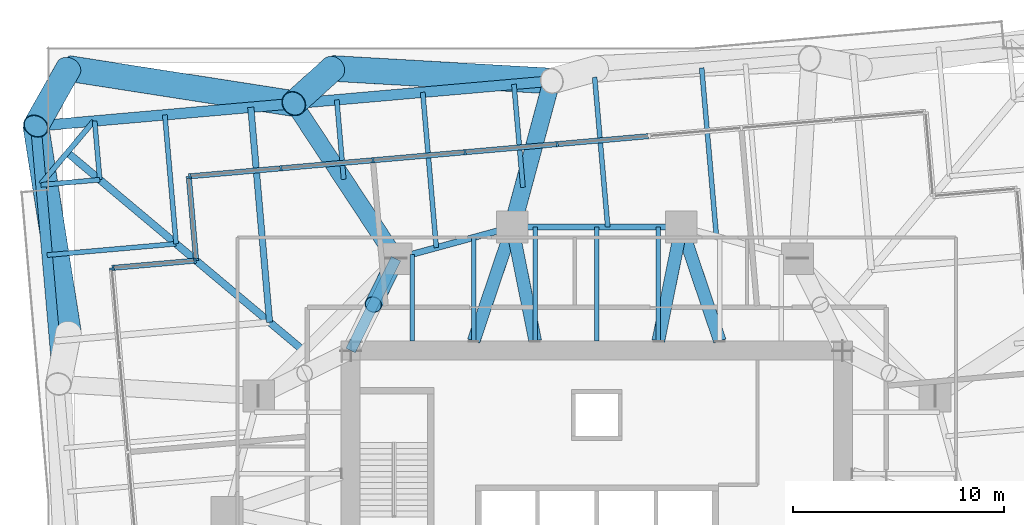
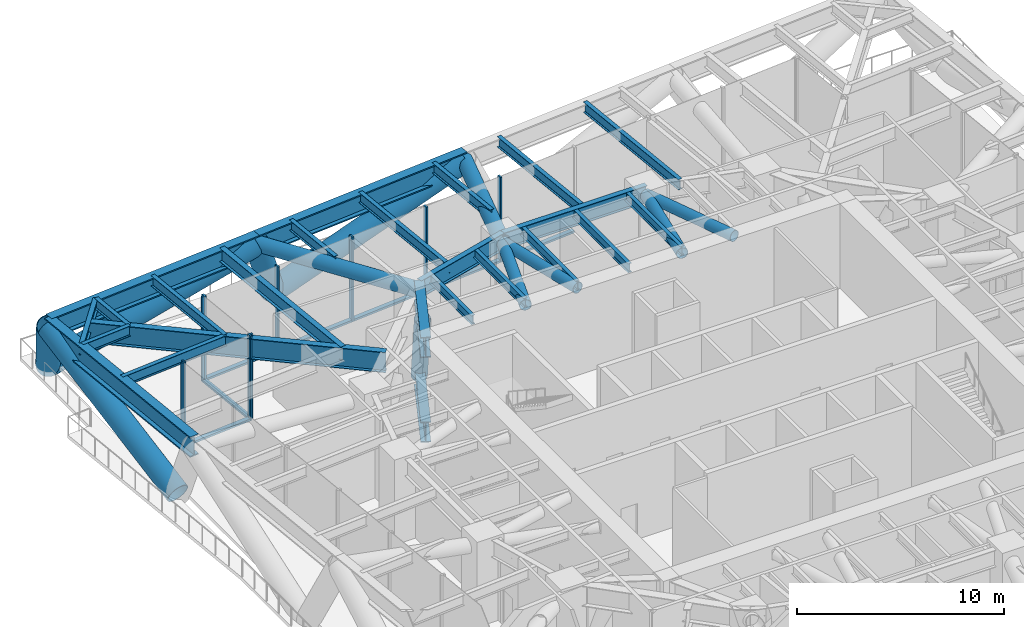
# One storey, part 6 of 14: 31 members, 22 beams, 4 elements without a shape of their own.
"""IFC4 building model written with IfcOpenShell, lengths in metres."""

from ifc_helpers import new_model, si_unit, direction, frame, origin, origin_2d, place, context, subcontext, project, spatial, rectangle, hollow_circle, i_section, extrude, material, material_profile, profile_set, type_object, element, aggregate, save


model = new_model("IFC4")

# Units and contexts
model_context = context("Model", 3, precision=1e-05, world=origin(), true_north=direction((0.0, 1.0)))
body_context = subcontext(model_context, "Body", "Model", "MODEL_VIEW")
ifc_project = project(units=[si_unit("LENGTHUNIT", "METRE"), si_unit("AREAUNIT", "SQUARE_METRE"), si_unit("VOLUMEUNIT", "CUBIC_METRE"), si_unit("PLANEANGLEUNIT", "RADIAN"), si_unit("MASSUNIT", "GRAM", prefix="KILO")], contexts=[model_context])

# Site, building, storey
site_placement = place(None, origin())
site = spatial("IfcSite", under=ifc_project, at=site_placement, CompositionType="ELEMENT")
building_placement = place(site_placement, origin())
building = spatial("IfcBuilding", under=site, at=building_placement, Name="Torsade Residences", CompositionType="ELEMENT")
storey_placement = place(building_placement, frame((0.0, 0.0, 42.199951171875)))
storey = spatial("IfcBuildingStorey", under=building, at=storey_placement, Name="L11", CompositionType="ELEMENT", Elevation=42.199951171875)

# Beams
ifc_material_1 = material(Name="Steel grade 300", Category="steel")
ifc_material_profile_1 = material_profile(ifc_material_1, i_section(OverallWidth=0.35009765625, OverallDepth=1.199951171875, WebThickness=0.01611328125, FlangeThickness=0.028076171875, at=origin_2d()), Name="1200WB278")
ifc_profile_set_1 = profile_set([ifc_material_profile_1], Name="Steel grade 300")
beam_type_1 = type_object("IfcBeamType", Name="CORNER GIRDER 1200WB278", PredefinedType="BEAM", material=ifc_profile_set_1)
beam_1_placement = place(storey_placement, frame((14.947509765625, 51.021484375, 4.25), z_axis=(0.766046281307, -0.642785419012, 0.0), x_axis=(0.642785419012, 0.766046281307, 0.0)))
element("IfcBeam", 1, at=beam_1_placement, inside=storey, type_object=beam_type_1, Name="Corner girder 13 L12", PredefinedType="BEAM", context=body_context, shape_type="SweptSolid", body=[
    extrude(i_section(OverallWidth=0.35009765625, OverallDepth=1.199951171875, WebThickness=0.01611328125, FlangeThickness=0.028076171875, at=origin_2d()), origin(), (0.0, 0.0, 1.0), 14.603515625),
])
ifc_material_2 = material(Name="Steel grade 300", Category="steel")
ifc_material_profile_2 = material_profile(ifc_material_2, i_section(OverallWidth=0.25, OverallDepth=0.699951171875, WebThickness=0.010009765625, FlangeThickness=0.02001953125, at=origin_2d()), Name="700WB130")
ifc_profile_set_2 = profile_set([ifc_material_profile_2], Name="Steel grade 300")
beam_type_2 = type_object("IfcBeamType", Name="CORNER TRIMMER 700WB130", PredefinedType="BEAM", material=ifc_profile_set_2)
beam_2_placement = place(storey_placement, frame((13.697509765625, 49.531982421875, 4.5), z_axis=(0.642804819911, 0.766030001697, 0.0), x_axis=(-0.766030001697, 0.642804819911, 0.0)))
element("IfcBeam", 2, at=beam_2_placement, inside=storey, type_object=beam_type_2, Name="Corner trimmer 13 L12", PredefinedType="BEAM", context=body_context, shape_type="SweptSolid", body=[
    extrude(i_section(OverallWidth=0.25, OverallDepth=0.699951171875, WebThickness=0.010009765625, FlangeThickness=0.02001953125, at=origin_2d()), origin(), (0.0, 0.0, 1.0), 3.88916015625),
])
ifc_material_3 = material(Name="Steel grade 300", Category="steel")
ifc_material_profile_3 = material_profile(ifc_material_3, i_section(OverallWidth=0.208984375, OverallDepth=0.528076171875, WebThickness=0.009521484375, FlangeThickness=0.01318359375, FilletRadius=0.013916015625, at=origin_2d()), Name="530UB82.0")
ifc_profile_set_3 = profile_set([ifc_material_profile_3], Name="Steel grade 300")
beam_type_3 = type_object("IfcBeamType", Name="INNER FLOOR BEAM 530UB82.0", PredefinedType="JOIST", material=ifc_profile_set_3)
beam_3_placement = place(storey_placement, frame((31.262451171875, 42.10009765625, 4.5859375), z_axis=(0.0, 1.0, 0.0), x_axis=(-1.0, 0.0, 0.0)))
element("IfcBeam", 3, at=beam_3_placement, inside=storey, type_object=beam_type_3, Name="Inner floor beam IN01 L12", PredefinedType="JOIST", context=body_context, shape_type="SweptSolid", body=[
    extrude(i_section(OverallWidth=0.208984375, OverallDepth=0.528076171875, WebThickness=0.009521484375, FlangeThickness=0.01318359375, FilletRadius=0.013916015625, at=origin_2d()), origin(), (0.0, 0.0, 1.0), 4.10791015625),
])
beam_4_placement = place(storey_placement, frame((34.175048828125, 42.10009765625, 4.5859375), z_axis=(0.0, 1.0, 0.0), x_axis=(-1.0, 0.0, 0.0)))
element("IfcBeam", 4, at=beam_4_placement, inside=storey, type_object=beam_type_3, Name="Inner floor beam IN02 L12", PredefinedType="JOIST", context=body_context, shape_type="SweptSolid", body=[
    extrude(i_section(OverallWidth=0.208984375, OverallDepth=0.528076171875, WebThickness=0.009521484375, FlangeThickness=0.01318359375, FilletRadius=0.013916015625, at=origin_2d()), origin(), (0.0, 0.0, 1.0), 4.902099609375),
])
for number, where, z_axis, x_axis, name in (
    (5, (37.08740234375, 42.10009765625, 4.5859375), (0.0, 1.0, 0.0), (-1.0, 0.0, 0.0), "Inner floor beam IN03 L12"),
    (6, (40.0, 42.10009765625, 4.5859375), (0.0, 1.0, 0.0), (-1.0, 0.0, 0.0), "Inner floor beam IN04 L12"),
    (7, (42.91259765625, 42.10009765625, 4.5859375), (0.0, 1.0, 0.0), (-1.0, 0.0, 0.0), "Inner floor beam IN05 L12"),
):
    element("IfcBeam", number, at=place(storey_placement, frame(where, z_axis=z_axis, x_axis=x_axis)), inside=storey, type_object=beam_type_3, Name=name, PredefinedType="JOIST", context=body_context, shape_type="SweptSolid", body=[
        extrude(i_section(OverallWidth=0.208984375, OverallDepth=0.528076171875, WebThickness=0.009521484375, FlangeThickness=0.01318359375, FilletRadius=0.013916015625, at=origin_2d()), origin(), (0.0, 0.0, 1.0), 5.39990234375),
    ])

# Members
ifc_material_4 = material(Name="Steel grade 350", Category="steel")
ifc_material_profile_4 = material_profile(ifc_material_4, i_section(OverallWidth=0.5, OverallDepth=1.199951171875, WebThickness=0.031982421875, FlangeThickness=0.050048828125, at=origin_2d()), Name="1200x500x50x32WPG")
ifc_profile_set_4 = profile_set([ifc_material_profile_4], Name="Steel grade 350")
member_type_1 = type_object("IfcMemberType", Name="OUTRIGGER CHORD", PredefinedType="CHORD", material=ifc_profile_set_4)
for number, where, z_axis, x_axis, name in (
    (8, (28.35009765625, 41.64990234375, 4.25), (0.443062937737, 0.896490509266, 0.0), (-0.896490509266, 0.443062937737, 0.0), "Outrigger IR07 top chord L11"),
    (9, (28.35009765625, 41.64990234375, -0.75), (0.443062937737, 0.896490509266, 0.0), (-0.896490509266, 0.443062937737, 0.0), "Outrigger IR07 bottom chord L11"),
):
    element("IfcMember", number, at=place(storey_placement, frame(where, z_axis=z_axis, x_axis=x_axis)), inside=storey, type_object=member_type_1, Name=name, PredefinedType="CHORD", context=body_context, shape_type="SweptSolid", body=[
        extrude(i_section(OverallWidth=0.5, OverallDepth=1.199951171875, WebThickness=0.031982421875, FlangeThickness=0.050048828125, at=origin_2d()), origin(), (0.0, 0.0, 1.0), 4.852294921875),
    ])
ifc_material_5 = material(Name="Steel grade 450", Category="steel")
ifc_material_profile_5 = material_profile(ifc_material_5, hollow_circle(Radius=0.406494140625, WallThickness=0.02490234375, at=origin_2d()), Name="813.0x25.0CHS")
ifc_profile_set_5 = profile_set([ifc_material_profile_5], Name="Steel grade 450")
member_type_2 = type_object("IfcMemberType", Name="OUTRIGGER DIAGONAL", PredefinedType="BRACE", material=ifc_profile_set_5)
member_1_placement = place(storey_placement, frame((30.5, 46.0, -0.75), z_axis=(-0.193421786849, -0.391368316838, 0.899677082595), x_axis=(0.896490509266, -0.443062937737, 0.0)))
element("IfcMember", 10, at=member_1_placement, inside=storey, type_object=member_type_2, Name="Outrigger IR07 diagonal 2 L11", PredefinedType="BRACE", context=body_context, shape_type="SweptSolid", body=[
    extrude(hollow_circle(Radius=0.406494140625, WallThickness=0.02490234375, at=origin_2d()), origin(), (0.0, 0.0, 1.0), 5.5576171875),
])

# Beams
ifc_material_6 = material(Name="Steel grade 300", Category="steel")
ifc_material_profile_6 = material_profile(ifc_material_6, i_section(OverallWidth=0.300048828125, OverallDepth=1.0, WebThickness=0.01611328125, FlangeThickness=0.028076171875, at=origin_2d()), Name="1000WB215")
ifc_profile_set_6 = profile_set([ifc_material_profile_6], Name="Steel grade 300")
beam_type_4 = type_object("IfcBeamType", Name="RING GIRDER 1000WB215", PredefinedType="BEAM", material=ifc_profile_set_6)
beam_5_placement = place(storey_placement, frame((44.0, 47.5, 4.35009765625), z_axis=(-1.0, 0.0, 0.0), x_axis=(0.0, -1.0, 0.0)))
element("IfcBeam", 11, at=beam_5_placement, inside=storey, type_object=beam_type_4, Name="Ring girder IR05 L12", PredefinedType="BEAM", context=body_context, shape_type="SweptSolid", body=[
    extrude(i_section(OverallWidth=0.300048828125, OverallDepth=1.0, WebThickness=0.01611328125, FlangeThickness=0.028076171875, at=origin_2d()), origin(), (0.0, 0.0, 1.0), 8.0),
])
beam_6_placement = place(storey_placement, frame((36.0, 47.5, 4.35009765625), z_axis=(-0.964763821238, -0.263117405792, 0.0), x_axis=(0.263117405792, -0.964763821238, 0.0)))
element("IfcBeam", 12, at=beam_6_placement, inside=storey, type_object=beam_type_4, Name="Ring girder IR06 L12", PredefinedType="BEAM", context=body_context, shape_type="SweptSolid", body=[
    extrude(i_section(OverallWidth=0.300048828125, OverallDepth=1.0, WebThickness=0.01611328125, FlangeThickness=0.028076171875, at=origin_2d()), origin(), (0.0, 0.0, 1.0), 5.700927734375),
])
ifc_material_7 = material(Name="Steel grade 300", Category="steel")
ifc_material_profile_7 = material_profile(ifc_material_7, i_section(OverallWidth=0.22900390625, OverallDepth=0.612060546875, WebThickness=0.011962890625, FlangeThickness=0.01953125, FilletRadius=0.013916015625, at=origin_2d()), Name="610UB125")
ifc_profile_set_7 = profile_set([ifc_material_profile_7], Name="Steel grade 300")
beam_type_5 = type_object("IfcBeamType", Name="SECONDARY BEAM 610UB125", PredefinedType="JOIST", material=ifc_profile_set_7)
beam_7_placement = place(storey_placement, frame((44.962646484375, 55.02783203125, 4.5439453125), z_axis=(0.087158255311, -0.996194478268, 0.0), x_axis=(0.996194478268, 0.087158255311, 0.0)))
element("IfcBeam", 13, at=beam_7_placement, inside=storey, type_object=beam_type_5, Name="Floor beam FN05 L12", PredefinedType="JOIST", context=body_context, shape_type="SweptSolid", body=[
    extrude(i_section(OverallWidth=0.22900390625, OverallDepth=0.612060546875, WebThickness=0.011962890625, FlangeThickness=0.01953125, FilletRadius=0.013916015625, at=origin_2d()), origin(), (0.0, 0.0, 1.0), 8.01123046875),
])
beam_8_placement = place(storey_placement, frame((39.898681640625, 54.584716796875, 4.5439453125), z_axis=(0.087127345813, -0.996197182094, 0.0), x_axis=(0.996197182094, 0.087127345813, 0.0)))
element("IfcBeam", 14, at=beam_8_placement, inside=storey, type_object=beam_type_5, Name="Floor beam FN06 L12", PredefinedType="JOIST", context=body_context, shape_type="SweptSolid", body=[
    extrude(i_section(OverallWidth=0.22900390625, OverallDepth=0.612060546875, WebThickness=0.011962890625, FlangeThickness=0.01953125, FilletRadius=0.013916015625, at=origin_2d()), origin(), (0.0, 0.0, 1.0), 7.11181640625),
])
beam_9_placement = place(storey_placement, frame((36.079833984375, 54.250732421875, 4.5439453125), z_axis=(0.087152716714, -0.996194962831, 0.0), x_axis=(0.996194962831, 0.087152716714, 0.0)))
element("IfcBeam", 15, at=beam_9_placement, inside=storey, type_object=beam_type_5, Name="Floor beam FN07 L12", PredefinedType="JOIST", context=body_context, shape_type="SweptSolid", body=[
    extrude(i_section(OverallWidth=0.22900390625, OverallDepth=0.612060546875, WebThickness=0.011962890625, FlangeThickness=0.01953125, FilletRadius=0.013916015625, at=origin_2d()), origin(), (0.0, 0.0, 1.0), 4.893798828125),
])
beam_10_placement = place(storey_placement, frame((31.762939453125, 53.873046875, 4.5439453125), z_axis=(0.087156282128, -0.996194650902, 0.0), x_axis=(0.996194650902, 0.087156282128, 0.0)))
element("IfcBeam", 16, at=beam_10_placement, inside=storey, type_object=beam_type_5, Name="Floor beam FN08 L12", PredefinedType="JOIST", context=body_context, shape_type="SweptSolid", body=[
    extrude(i_section(OverallWidth=0.22900390625, OverallDepth=0.612060546875, WebThickness=0.011962890625, FlangeThickness=0.01953125, FilletRadius=0.013916015625, at=origin_2d()), origin(), (0.0, 0.0, 1.0), 7.381103515625),
])
beam_11_placement = place(storey_placement, frame((27.6953125, 53.51708984375, 4.5439453125), z_axis=(0.087142892177, -0.996195822288, 0.0), x_axis=(0.996195822288, 0.087142892177, 0.0)))
element("IfcBeam", 17, at=beam_11_placement, inside=storey, type_object=beam_type_5, Name="Floor beam FN09 L12", PredefinedType="JOIST", context=body_context, shape_type="SweptSolid", body=[
    extrude(i_section(OverallWidth=0.22900390625, OverallDepth=0.612060546875, WebThickness=0.011962890625, FlangeThickness=0.01953125, FilletRadius=0.013916015625, at=origin_2d()), origin(), (0.0, 0.0, 1.0), 3.776611328125),
])
beam_12_placement = place(storey_placement, frame((19.5595703125, 52.80517578125, 4.5439453125), z_axis=(0.087174861801, -0.996193025206, 0.0), x_axis=(0.996193025206, 0.087174861801, 0.0)))
element("IfcBeam", 18, at=beam_12_placement, inside=storey, type_object=beam_type_5, Name="Floor beam FN11 L12", PredefinedType="JOIST", context=body_context, shape_type="SweptSolid", body=[
    extrude(i_section(OverallWidth=0.22900390625, OverallDepth=0.612060546875, WebThickness=0.011962890625, FlangeThickness=0.01953125, FilletRadius=0.013916015625, at=origin_2d()), origin(), (0.0, 0.0, 1.0), 6.125),
])
for number, where, z_axis, x_axis, name in (
    (19, (16.239013671875, 52.5146484375, 4.5439453125), (0.087105111923, -0.996199126418, 0.0), (0.996199126418, 0.087105111923, 0.0), "Floor beam FN12 L12"),
    (20, (13.701171875, 49.490478515625, 4.5439453125), (0.996199126418, 0.087105111923, 0.0), (-0.087105111923, 0.996199126418, 0.0), "Floor beam FW01 L12"),
):
    element("IfcBeam", number, at=place(storey_placement, frame(where, z_axis=z_axis, x_axis=x_axis)), inside=storey, type_object=beam_type_5, Name=name, PredefinedType="JOIST", context=body_context, shape_type="SweptSolid", body=[
        extrude(i_section(OverallWidth=0.22900390625, OverallDepth=0.612060546875, WebThickness=0.011962890625, FlangeThickness=0.01953125, FilletRadius=0.013916015625, at=origin_2d()), origin(), (0.0, 0.0, 1.0), 2.79150390625),
    ])
beam_13_placement = place(storey_placement, frame((13.99169921875, 46.169677734375, 4.5439453125), z_axis=(0.996193328106, 0.087171400335, 0.0), x_axis=(-0.087171400335, 0.996193328106, 0.0)))
element("IfcBeam", 21, at=beam_13_placement, inside=storey, type_object=beam_type_5, Name="Floor beam FW02 L12", PredefinedType="JOIST", context=body_context, shape_type="SweptSolid", body=[
    extrude(i_section(OverallWidth=0.22900390625, OverallDepth=0.612060546875, WebThickness=0.011962890625, FlangeThickness=0.01953125, FilletRadius=0.013916015625, at=origin_2d()), origin(), (0.0, 0.0, 1.0), 6.125244140625),
])
ifc_material_8 = material(Name="Steel grade 300", Category="steel")
ifc_material_profile_8 = material_profile(ifc_material_8, i_section(OverallWidth=0.300048828125, OverallDepth=0.800048828125, WebThickness=0.010009765625, FlangeThickness=0.02001953125, at=origin_2d()), Name="800WB146")
ifc_profile_set_8 = profile_set([ifc_material_profile_8], Name="Steel grade 300")
beam_type_6 = type_object("IfcBeamType", Name="SECONDARY BEAM 800WB146", PredefinedType="JOIST", material=ifc_profile_set_8)
beam_14_placement = place(storey_placement, frame((23.62744140625, 53.1611328125, 4.449951171875), z_axis=(0.087149742944, -0.996195222988, 0.0), x_axis=(0.996195222988, 0.087149742944, 0.0)))
element("IfcBeam", 22, at=beam_14_placement, inside=storey, type_object=beam_type_6, Name="Floor beam FN10 L12", PredefinedType="JOIST", context=body_context, shape_type="SweptSolid", body=[
    extrude(i_section(OverallWidth=0.300048828125, OverallDepth=0.800048828125, WebThickness=0.010009765625, FlangeThickness=0.02001953125, at=origin_2d()), origin(), (0.0, 0.0, 1.0), 10.208251953125),
])

# Members
ifc_material_9 = material(Name="Steel grade 450", Category="steel")
ifc_material_profile_9 = material_profile(ifc_material_9, hollow_circle(Radius=0.304931640625, WallThickness=0.01611328125, at=origin_2d()), Name="610.0x16.0CHS")
ifc_profile_set_9 = profile_set([ifc_material_profile_9], Name="Steel grade 450")
member_type_3 = type_object("IfcMemberType", Name="TRANSFER FLOOR BRACE 610.0x16.0CHS", PredefinedType="BRACE", material=ifc_profile_set_9)
member_2_placement = place(storey_placement, frame((44.0, 47.5, 4.25), z_axis=(-0.197299045909, -0.97976207845, 0.03375434957), x_axis=(0.980320704809, -0.197411538983, 0.0)))
element("IfcMember", 23, at=member_2_placement, inside=storey, type_object=member_type_3, Name="Transfer floor brace TT1 top IR05IN05", PredefinedType="BRACE", context=body_context, shape_type="SweptSolid", body=[
    extrude(hollow_circle(Radius=0.304931640625, WallThickness=0.01611328125, at=origin_2d()), origin(), (0.0, 0.0, 1.0), 5.511474609375),
])
member_3_placement = place(storey_placement, frame((44.0, 47.5, 4.25), z_axis=(0.319999474368, -0.946855969774, 0.032620682203), x_axis=(0.947360151124, 0.320169867513, 0.0)))
element("IfcMember", 24, at=member_3_placement, inside=storey, type_object=member_type_3, Name="Transfer floor brace TT1 top IR05IN06", PredefinedType="BRACE", context=body_context, shape_type="SweptSolid", body=[
    extrude(hollow_circle(Radius=0.304931640625, WallThickness=0.01611328125, at=origin_2d()), origin(), (0.0, 0.0, 1.0), 5.702880859375),
])
member_4_placement = place(storey_placement, frame((36.0, 47.5, 4.25), z_axis=(0.197299045909, -0.97976207845, 0.03375434957), x_axis=(0.980320704809, 0.197411538983, 0.0)))
element("IfcMember", 25, at=member_4_placement, inside=storey, type_object=member_type_3, Name="Transfer floor brace TT1 top IR06IN03", PredefinedType="BRACE", context=body_context, shape_type="SweptSolid", body=[
    extrude(hollow_circle(Radius=0.304931640625, WallThickness=0.01611328125, at=origin_2d()), origin(), (0.0, 0.0, 1.0), 5.511474609375),
])
member_5_placement = place(storey_placement, frame((36.0, 47.5, 4.25), z_axis=(-0.319999474368, -0.946855969774, 0.032620682203), x_axis=(0.947360151124, -0.320169867513, 0.0)))
element("IfcMember", 26, at=member_5_placement, inside=storey, type_object=member_type_3, Name="Transfer floor brace TT1 top IR06IN02", PredefinedType="BRACE", context=body_context, shape_type="SweptSolid", body=[
    extrude(hollow_circle(Radius=0.304931640625, WallThickness=0.01611328125, at=origin_2d()), origin(), (0.0, 0.0, 1.0), 5.702880859375),
])
ifc_material_10 = material(Name="Steel grade 450", Category="steel")
ifc_material_profile_10 = material_profile(ifc_material_10, hollow_circle(Radius=0.406494140625, WallThickness=0.02490234375, at=origin_2d()), Name="813.0x25.0CHS")
ifc_profile_set_10 = profile_set([ifc_material_profile_10], Name="Steel grade 450")
member_type_4 = type_object("IfcMemberType", Name="TRANSFER FLOOR STRUT 813.0x25.0CHS", PredefinedType="STRUT", material=ifc_profile_set_10)
member_6_placement = place(storey_placement, frame((37.86474609375, 54.40673828125, 4.25), z_axis=(-0.260656310032, -0.965431658918, 0.0), x_axis=(0.965431658918, -0.260656310032, 0.0)))
element("IfcMember", 27, at=member_6_placement, inside=storey, type_object=member_type_4, Name="Transfer floor strut TT1 top 11IR06", PredefinedType="STRUT", context=body_context, shape_type="SweptSolid", body=[
    extrude(hollow_circle(Radius=0.406494140625, WallThickness=0.02490234375, at=origin_2d()), origin(), (0.0, 0.0, 1.0), 7.154052734375),
])
member_7_placement = place(storey_placement, frame((25.661376953125, 53.339111328125, 4.25), z_axis=(0.550430848899, -0.8348807583, 0.0), x_axis=(0.8348807583, 0.550430848899, 0.0)))
element("IfcMember", 28, at=member_7_placement, inside=storey, type_object=member_type_4, Name="Transfer floor strut TT1 top 12IR07", PredefinedType="STRUT", context=body_context, shape_type="SweptSolid", body=[
    extrude(hollow_circle(Radius=0.406494140625, WallThickness=0.02490234375, at=origin_2d()), origin(), (0.0, 0.0, 1.0), 8.79052734375),
])

# Curtain wall, members
ifc_material_11 = material(Name="Aluminium and glass", Category="aluminium")
curtain_wall_type = type_object("IfcCurtainWallType", Name="TRANSFER LEVEL CURTAIN WALL LOW ZONE", PredefinedType="NOTDEFINED", material=ifc_material_11)
curtain_wall_1_placement = place(storey_placement, origin())
curtain_wall_1 = element("IfcCurtainWall", 29, at=curtain_wall_1_placement, inside=storey, type_object=curtain_wall_type, Name="Curtain wall L11 face 7", PredefinedType="NOTDEFINED")
ifc_material_12 = material(Name="Aluminium mullion", Category="aluminium")
ifc_material_profile_11 = material_profile(ifc_material_12, rectangle(XDim=0.25, YDim=0.10009765625, at=origin_2d()), Name="TRANSFER LEVEL CURTAIN WALL MULLION 250x100")
ifc_profile_set_11 = profile_set([ifc_material_profile_11], Name="Aluminium mullion")
member_type_5 = type_object("IfcMemberType", Name="TRANSFER LEVEL CURTAIN WALL MULLION 250x100", PredefinedType="MULLION", material=ifc_profile_set_11)
member_8_placement = place(storey_placement, frame((38.126220703125, 51.418212890625, 0.0), z_axis=(0.0, 0.0, 1.0), x_axis=(0.087155741444, -0.996194698206, 0.0)))
member_8 = element("IfcMember", 30, at=member_8_placement, type_object=member_type_5, Name="Mullion 5", PredefinedType="MULLION", context=body_context, shape_type="SweptSolid", body=[
    extrude(rectangle(XDim=0.25, YDim=0.10009765625, at=origin_2d()), origin(), (0.0, 0.0, 1.0), 5.0),
])
member_9_placement = place(storey_placement, frame((33.767822265625, 51.036865234375, 0.0), z_axis=(0.0, 0.0, 1.0), x_axis=(0.087155741444, -0.996194698206, 0.0)))
member_9 = element("IfcMember", 31, at=member_9_placement, type_object=member_type_5, Name="Mullion 6", PredefinedType="MULLION", context=body_context, shape_type="SweptSolid", body=[
    extrude(rectangle(XDim=0.25, YDim=0.10009765625, at=origin_2d()), origin(), (0.0, 0.0, 1.0), 5.0),
])
member_10_placement = place(storey_placement, frame((29.409423828125, 50.655517578125, 0.0), z_axis=(0.0, 0.0, 1.0), x_axis=(0.087155741444, -0.996194698206, 0.0)))
member_10 = element("IfcMember", 32, at=member_10_placement, type_object=member_type_5, Name="Mullion 7", PredefinedType="MULLION", context=body_context, shape_type="SweptSolid", body=[
    extrude(rectangle(XDim=0.25, YDim=0.10009765625, at=origin_2d()), origin(), (0.0, 0.0, 1.0), 5.0),
])
member_11_placement = place(storey_placement, frame((25.051025390625, 50.274169921875, 0.0), z_axis=(0.0, 0.0, 1.0), x_axis=(0.087155741444, -0.996194698206, 0.0)))
member_11 = element("IfcMember", 33, at=member_11_placement, type_object=member_type_5, Name="Mullion 8", PredefinedType="MULLION", context=body_context, shape_type="SweptSolid", body=[
    extrude(rectangle(XDim=0.25, YDim=0.10009765625, at=origin_2d()), origin(), (0.0, 0.0, 1.0), 5.0),
])
member_12_placement = place(storey_placement, frame((20.74267578125, 49.897216796875, 0.0), z_axis=(0.0, 0.0, 1.0), x_axis=(0.087155741444, -0.996194698206, 0.0)))
member_12 = element("IfcMember", 34, at=member_12_placement, type_object=member_type_5, Name="Mullion 9", PredefinedType="MULLION", context=body_context, shape_type="SweptSolid", body=[
    extrude(rectangle(XDim=0.25, YDim=0.10009765625, at=origin_2d()), origin(), (0.0, 0.0, 1.0), 5.0),
])

curtain_wall_2_placement = place(storey_placement, origin())
curtain_wall_2 = element("IfcCurtainWall", 35, at=curtain_wall_2_placement, inside=storey, type_object=curtain_wall_type, Name="Curtain wall L11 face 8", PredefinedType="NOTDEFINED")
member_13_placement = place(storey_placement, frame((20.697021484375, 49.84326171875, 0.0), z_axis=(0.0, 0.0, 1.0), x_axis=(0.996194697856, 0.087155745443, 0.0)))
member_13 = element("IfcMember", 36, at=member_13_placement, type_object=member_type_5, Name="Mullion 1", PredefinedType="MULLION", context=body_context, shape_type="SweptSolid", body=[
    extrude(rectangle(XDim=0.25, YDim=0.10009765625, at=origin_2d()), origin(), (0.0, 0.0, 1.0), 5.0),
])
member_14_placement = place(storey_placement, frame((21.037109375, 45.9580078125, 0.0), z_axis=(0.0, 0.0, 1.0), x_axis=(0.996194697856, 0.087155745443, 0.0)))
member_14 = element("IfcMember", 37, at=member_14_placement, type_object=member_type_5, Name="Mullion 2", PredefinedType="MULLION", context=body_context, shape_type="SweptSolid", body=[
    extrude(rectangle(XDim=0.25, YDim=0.10009765625, at=origin_2d()), origin(), (0.0, 0.0, 1.0), 5.0),
])

curtain_wall_3_placement = place(storey_placement, origin())
curtain_wall_3 = element("IfcCurtainWall", 38, at=curtain_wall_3_placement, inside=storey, type_object=curtain_wall_type, Name="Curtain wall L11 face 9", PredefinedType="NOTDEFINED")
member_15_placement = place(storey_placement, frame((20.991455078125, 45.90380859375, 0.0), z_axis=(0.0, 0.0, 1.0), x_axis=(0.087155745443, -0.996194697856, 0.0)))
member_15 = element("IfcMember", 39, at=member_15_placement, type_object=member_type_5, Name="Mullion 1", PredefinedType="MULLION", context=body_context, shape_type="SweptSolid", body=[
    extrude(rectangle(XDim=0.25, YDim=0.10009765625, at=origin_2d()), origin(), (0.0, 0.0, 1.0), 5.0),
])
member_16_placement = place(storey_placement, frame((17.1064453125, 45.56396484375, 0.0), z_axis=(0.0, 0.0, 1.0), x_axis=(0.087155745443, -0.996194697856, 0.0)))
member_16 = element("IfcMember", 40, at=member_16_placement, type_object=member_type_5, Name="Mullion 2", PredefinedType="MULLION", context=body_context, shape_type="SweptSolid", body=[
    extrude(rectangle(XDim=0.25, YDim=0.10009765625, at=origin_2d()), origin(), (0.0, 0.0, 1.0), 5.0),
])

# Curtain wall, member
curtain_wall_4_placement = place(storey_placement, origin())
curtain_wall_4 = element("IfcCurtainWall", 41, at=curtain_wall_4_placement, inside=storey, type_object=curtain_wall_type, Name="Curtain wall L11 face 10", PredefinedType="NOTDEFINED")
member_17_placement = place(storey_placement, frame((17.06103515625, 45.509765625, 0.0), z_axis=(0.0, 0.0, 1.0), x_axis=(0.996194698206, 0.087155741444, 0.0)))
member_17 = element("IfcMember", 42, at=member_17_placement, type_object=member_type_5, Name="Mullion 1", PredefinedType="MULLION", context=body_context, shape_type="SweptSolid", body=[
    extrude(rectangle(XDim=0.25, YDim=0.10009765625, at=origin_2d()), origin(), (0.0, 0.0, 1.0), 5.0),
])
aggregate(curtain_wall_4, [member_17])

# Member
ifc_material_13 = material(Name="Aluminium transom", Category="aluminium")
ifc_material_profile_12 = material_profile(ifc_material_13, rectangle(XDim=0.25, YDim=0.1201171875, at=origin_2d()), Name="TRANSFER LEVEL CURTAIN WALL TRANSOM 250x120")
ifc_profile_set_12 = profile_set([ifc_material_profile_12], Name="Aluminium transom")
member_type_6 = type_object("IfcMemberType", Name="TRANSFER LEVEL CURTAIN WALL TRANSOM 250x120", PredefinedType="USERDEFINED", material=ifc_profile_set_12)
member_18_placement = place(storey_placement, frame((42.434814453125, 51.795166015625, 0.06005859375), z_axis=(-0.996195452949, -0.087147114263, 0.0), x_axis=(0.087147114263, -0.996195452949, 0.0)))
member_18 = element("IfcMember", 43, at=member_18_placement, type_object=member_type_6, Name="Transom 4.1", ObjectType="TRANSOM", PredefinedType="USERDEFINED", context=body_context, shape_type="SweptSolid", body=[
    extrude(rectangle(XDim=0.25, YDim=0.1201171875, at=origin_2d()), origin(), (0.0, 0.0, 1.0), 4.275146484375),
])

member_19_placement = place(storey_placement, frame((38.076416015625, 51.413818359375, 0.06005859375), z_axis=(-0.996195452949, -0.087147114263, 0.0), x_axis=(0.087147114263, -0.996195452949, 0.0)))
member_19 = element("IfcMember", 44, at=member_19_placement, type_object=member_type_6, Name="Transom 5.1", ObjectType="TRANSOM", PredefinedType="USERDEFINED", context=body_context, shape_type="SweptSolid", body=[
    extrude(rectangle(XDim=0.25, YDim=0.1201171875, at=origin_2d()), origin(), (0.0, 0.0, 1.0), 4.275146484375),
])

member_20_placement = place(storey_placement, frame((33.718017578125, 51.032470703125, 0.06005859375), z_axis=(-0.996195452949, -0.087147114263, 0.0), x_axis=(0.087147114263, -0.996195452949, 0.0)))
member_20 = element("IfcMember", 45, at=member_20_placement, type_object=member_type_6, Name="Transom 6.1", ObjectType="TRANSOM", PredefinedType="USERDEFINED", context=body_context, shape_type="SweptSolid", body=[
    extrude(rectangle(XDim=0.25, YDim=0.1201171875, at=origin_2d()), origin(), (0.0, 0.0, 1.0), 4.275146484375),
])

member_21_placement = place(storey_placement, frame((29.359619140625, 50.651123046875, 0.06005859375), z_axis=(-0.996195452949, -0.087147114263, 0.0), x_axis=(0.087147114263, -0.996195452949, 0.0)))
member_21 = element("IfcMember", 46, at=member_21_placement, type_object=member_type_6, Name="Transom 7.1", ObjectType="TRANSOM", PredefinedType="USERDEFINED", context=body_context, shape_type="SweptSolid", body=[
    extrude(rectangle(XDim=0.25, YDim=0.1201171875, at=origin_2d()), origin(), (0.0, 0.0, 1.0), 4.275146484375),
])

member_22_placement = place(storey_placement, frame((25.001220703125, 50.27001953125, 0.06005859375), z_axis=(-0.996190768882, -0.087200642163, 0.0), x_axis=(0.087200642163, -0.996190768882, 0.0)))
member_22 = element("IfcMember", 47, at=member_22_placement, type_object=member_type_6, Name="Transom 8.1", ObjectType="TRANSOM", PredefinedType="USERDEFINED", context=body_context, shape_type="SweptSolid", body=[
    extrude(rectangle(XDim=0.25, YDim=0.1201171875, at=origin_2d()), origin(), (0.0, 0.0, 1.0), 4.224853515625),
])

aggregate(curtain_wall_1, [member_8, member_9, member_10, member_11, member_12, member_18, member_19, member_20, member_21, member_22])

member_23_placement = place(storey_placement, frame((20.701416015625, 49.79345703125, 0.06005859375), z_axis=(0.087181295702, -0.996192462168, 0.0), x_axis=(0.996192462168, 0.087181295702, 0.0)))
member_23 = element("IfcMember", 48, at=member_23_placement, type_object=member_type_6, Name="Transom 1.1", ObjectType="TRANSOM", PredefinedType="USERDEFINED", context=body_context, shape_type="SweptSolid", body=[
    extrude(rectangle(XDim=0.25, YDim=0.1201171875, at=origin_2d()), origin(), (0.0, 0.0, 1.0), 3.800048828125),
])

aggregate(curtain_wall_2, [member_13, member_14, member_23])

member_24_placement = place(storey_placement, frame((20.941650390625, 45.8994140625, 0.06005859375), z_axis=(-0.996197552209, -0.087123113886, 0.0), x_axis=(0.087123113886, -0.996197552209, 0.0)))
member_24 = element("IfcMember", 49, at=member_24_placement, type_object=member_type_6, Name="Transom 1.1", ObjectType="TRANSOM", PredefinedType="USERDEFINED", context=body_context, shape_type="SweptSolid", body=[
    extrude(rectangle(XDim=0.25, YDim=0.1201171875, at=origin_2d()), origin(), (0.0, 0.0, 1.0), 3.7998046875),
])

aggregate(curtain_wall_3, [member_15, member_16, member_24])

# Beams
ifc_material_14 = material(Name="Steel grade 350", Category="steel")
ifc_material_profile_13 = material_profile(ifc_material_14, i_section(OverallWidth=0.5, OverallDepth=1.199951171875, WebThickness=0.0400390625, FlangeThickness=0.070068359375, at=origin_2d()), Name="1200x500x70x40WPG")
ifc_profile_set_13 = profile_set([ifc_material_profile_13], Name="Steel grade 350")
beam_type_7 = type_object("IfcBeamType", Name="TRANSFER TRUSS CHORD 1200x500x70x40WPG", PredefinedType="USERDEFINED", material=ifc_profile_set_13)
for number, where, z_axis, x_axis, name in (
    (50, (37.86474609375, 54.40673828125, 4.25), (-0.996194907201, -0.08715335259, 0.0), (0.08715335259, -0.996194907201, 0.0), "Transfer truss TT1 top chord 11"),
    (51, (25.661376953125, 53.339111328125, 4.25), (-0.996194907201, -0.08715335259, 0.0), (0.08715335259, -0.996194907201, 0.0), "Transfer truss TT1 top chord 12"),
    (52, (13.4580078125, 52.271484375, 4.25), (0.08715335259, -0.996194907201, 0.0), (0.996194907201, 0.08715335259, 0.0), "Transfer truss TT1 top chord 13"),
):
    element("IfcBeam", number, at=place(storey_placement, frame(where, z_axis=z_axis, x_axis=x_axis)), inside=storey, type_object=beam_type_7, Name=name, ObjectType="TRANSFER TRUSS CHORD", PredefinedType="USERDEFINED", context=body_context, shape_type="SweptSolid", body=[
        extrude(i_section(OverallWidth=0.5, OverallDepth=1.199951171875, WebThickness=0.0400390625, FlangeThickness=0.070068359375, at=origin_2d()), origin(), (0.0, 0.0, 1.0), 12.25),
    ])

# Members
ifc_material_15 = material(Name="Steel grade 450", Category="steel")
ifc_material_profile_14 = material_profile(ifc_material_15, hollow_circle(Radius=0.609619140625, WallThickness=0.0400390625, at=origin_2d()), Name="1219.0x40.0CHS")
ifc_profile_set_14 = profile_set([ifc_material_profile_14], Name="Steel grade 450")
member_type_7 = type_object("IfcMemberType", Name="TRANSFER TRUSS DIAGONAL 1219.0x40.0CHS", PredefinedType="BRACE", material=ifc_profile_set_14)
member_25_placement = place(storey_placement, frame((27.5, 55.0, -0.199951171875), z_axis=(0.917622360024, -0.05252325658, 0.39396765337), x_axis=(0.057144889209, 0.99836589567, 0.0)))
element("IfcMember", 53, at=member_25_placement, inside=storey, type_object=member_type_7, Name="Transfer truss TT1 diagonal 11", PredefinedType="BRACE", context=body_context, shape_type="SweptSolid", body=[
    extrude(hollow_circle(Radius=0.609619140625, WallThickness=0.0400390625, at=origin_2d()), origin(), (0.0, 0.0, 1.0), 11.295166015625),
])
member_26_placement = place(storey_placement, frame((15.0, 55.0, -0.199951171875), z_axis=(0.913448304114, -0.142302063544, 0.381264105867), x_axis=(0.153928904758, 0.988081925895, 0.0)))
element("IfcMember", 54, at=member_26_placement, inside=storey, type_object=member_type_7, Name="Transfer truss TT1 diagonal 12", PredefinedType="BRACE", context=body_context, shape_type="SweptSolid", body=[
    extrude(hollow_circle(Radius=0.609619140625, WallThickness=0.0400390625, at=origin_2d()), origin(), (0.0, 0.0, 1.0), 11.671630859375),
])
member_27_placement = place(storey_placement, frame((15.0, 42.5, -0.199951171875), z_axis=(-0.142155802497, 0.900830246855, 0.410239678928), x_axis=(-0.987776568704, -0.155876394362, 0.0)))
element("IfcMember", 55, at=member_27_placement, inside=storey, type_object=member_type_7, Name="Transfer truss TT1 diagonal 13", PredefinedType="BRACE", context=body_context, shape_type="SweptSolid", body=[
    extrude(hollow_circle(Radius=0.609619140625, WallThickness=0.0400390625, at=origin_2d()), origin(), (0.0, 0.0, 1.0), 10.84716796875),
])
ifc_material_16 = material(Name="Steel grade 450", Category="steel")
ifc_material_profile_15 = material_profile(ifc_material_16, hollow_circle(Radius=0.609619140625, WallThickness=0.0400390625, at=origin_2d()), Name="1219.0x40.0CHS")
ifc_profile_set_15 = profile_set([ifc_material_profile_15], Name="Steel grade 450")
member_type_8 = type_object("IfcMemberType", Name="TRANSFER TRUSS RAKING STRUT 1219.0x40.0CHS", PredefinedType="STRUT", material=ifc_profile_set_15)
member_28_placement = place(storey_placement, frame((27.5, 55.0, -0.199951171875), z_axis=(-0.360992414416, -0.326096321241, 0.87369655259), x_axis=(0.670330018532, -0.742063114738, 0.0)))
element("IfcMember", 56, at=member_28_placement, inside=storey, type_object=member_type_8, Name="Transfer truss TT1 raking strut 12", PredefinedType="STRUT", context=body_context, shape_type="SweptSolid", body=[
    extrude(hollow_circle(Radius=0.609619140625, WallThickness=0.0400390625, at=origin_2d()), origin(), (0.0, 0.0, 1.0), 5.09326171875),
])
member_29_placement = place(storey_placement, frame((15.0, 55.0, -0.199951171875), z_axis=(-0.283306086483, -0.501302853473, 0.817577586815), x_axis=(0.87059185378, -0.492005918797, 0.0)))
element("IfcMember", 57, at=member_29_placement, inside=storey, type_object=member_type_8, Name="Transfer truss TT1 raking strut 13", PredefinedType="STRUT", context=body_context, shape_type="SweptSolid", body=[
    extrude(hollow_circle(Radius=0.609619140625, WallThickness=0.0400390625, at=origin_2d()), origin(), (0.0, 0.0, 1.0), 5.44287109375),
])

save(model, "model.ifc")
